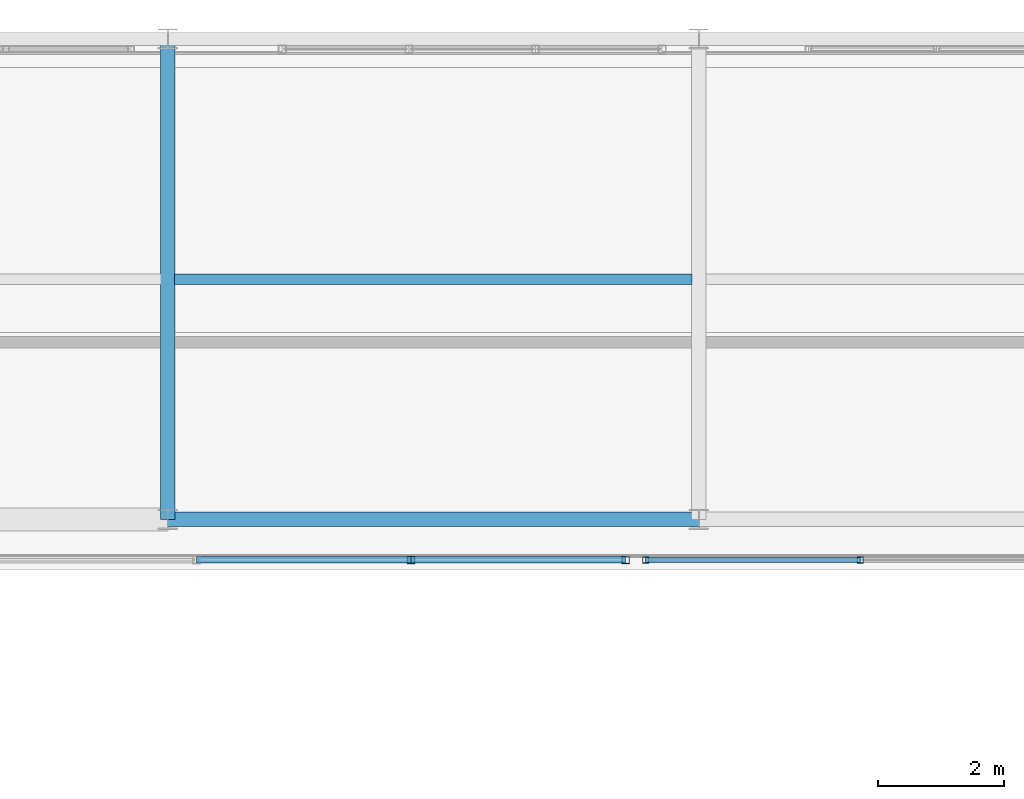
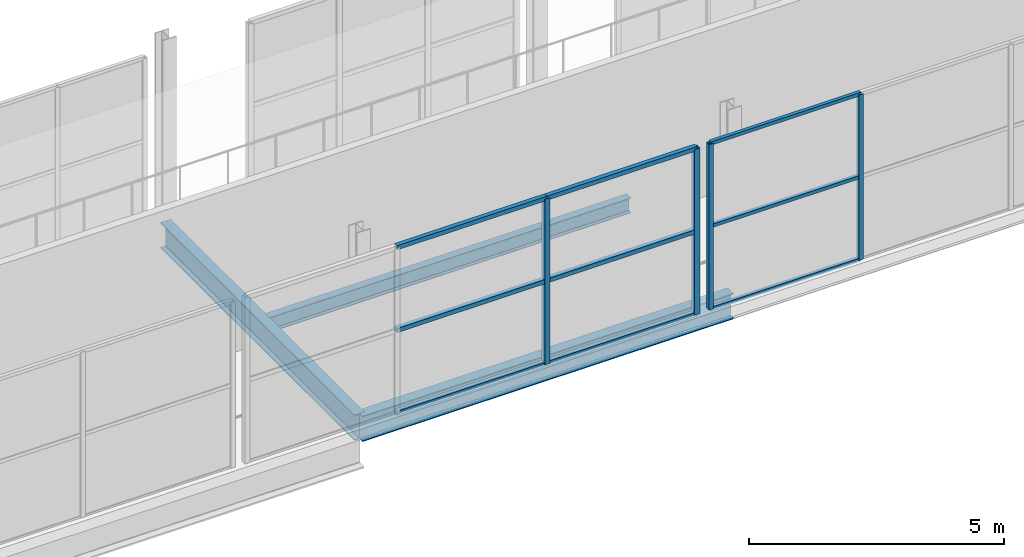
# One storey, part 61 of 151: 13 members, 3 beams, 2 elements without a shape of their own.
"""IFC4 building model written with IfcOpenShell, lengths in metres."""

from ifc_helpers import new_model, si_unit, direction, frame, origin, origin_2d, place, context, subcontext, project, spatial, hollow_rectangle, i_section, extrude, material, material_profile, profile_set, type_object, element, aggregate, save


model = new_model("IFC4")

# Units and contexts
model_context = context("Model", 3, precision=1e-05, world=origin(), true_north=direction((0.0, 1.0)))
body_context = subcontext(model_context, "Body", "Model", "MODEL_VIEW")
ifc_project = project(units=[si_unit("LENGTHUNIT", "METRE"), si_unit("AREAUNIT", "SQUARE_METRE"), si_unit("VOLUMEUNIT", "CUBIC_METRE"), si_unit("PLANEANGLEUNIT", "RADIAN"), si_unit("MASSUNIT", "GRAM", prefix="KILO")], contexts=[model_context])

# Site, building, storey
site_placement = place(None, origin())
site = spatial("IfcSite", under=ifc_project, at=site_placement, CompositionType="ELEMENT")
building_placement = place(site_placement, origin())
building = spatial("IfcBuilding", under=site, at=building_placement, Name="Zuvorla Pavilion Media Centre", CompositionType="ELEMENT")
storey_placement = place(building_placement, frame((0.0, 0.0, 13.800048828125)))
storey = spatial("IfcBuildingStorey", under=building, at=storey_placement, Name="L03", CompositionType="ELEMENT", Elevation=13.800048828125)

# Beams
ifc_material_1 = material(Name="Steel S355", Category="steel")
ifc_material_profile_1 = material_profile(ifc_material_1, i_section(OverallWidth=0.172119140625, OverallDepth=0.35791015625, WebThickness=0.008056640625, FlangeThickness=0.012939453125, FilletRadius=0.01025390625, at=origin_2d()), Name="UB 356x171x57")
ifc_profile_set_1 = profile_set([ifc_material_profile_1], Name="Steel S355")
beam_type_1 = type_object("IfcBeamType", Name="BM-UB356", PredefinedType="JOIST", material=ifc_profile_set_1)
beam_1_placement = place(storey_placement, frame((41.70947265625, 85.800048828125, -0.43701171875), z_axis=(1.0, 0.0, 0.0), x_axis=(0.0, 1.0, 0.0)))
element("IfcBeam", 1, at=beam_1_placement, inside=storey, type_object=beam_type_1, Name="L03 joist J03 1245", PredefinedType="JOIST", context=body_context, shape_type="SweptSolid", body=[
    extrude(i_section(OverallWidth=0.172119140625, OverallDepth=0.35791015625, WebThickness=0.008056640625, FlangeThickness=0.012939453125, FilletRadius=0.01025390625, at=origin_2d()), origin(), (0.0, 0.0, 1.0), 8.180908203125),
])
ifc_material_profile_2 = material_profile(ifc_material_1, i_section(OverallWidth=0.22900390625, OverallDepth=0.6123046875, WebThickness=0.011962890625, FlangeThickness=0.01953125, FilletRadius=0.0126953125, at=origin_2d()), Name="UB 610x229x125")
ifc_profile_set_2 = profile_set([ifc_material_profile_2], Name="Steel S355")
beam_type_2 = type_object("IfcBeamType", Name="BM-UB610", PredefinedType="BEAM", material=ifc_profile_set_2)
beam_2_placement = place(storey_placement, frame((41.60009765625, 82.0, -0.564208984375), z_axis=(1.0, 0.0, 0.0), x_axis=(0.0, 1.0, 0.0)))
element("IfcBeam", 2, at=beam_2_placement, inside=storey, type_object=beam_type_2, Name="L03 beam B07 1118", PredefinedType="BEAM", context=body_context, shape_type="SweptSolid", body=[
    extrude(i_section(OverallWidth=0.22900390625, OverallDepth=0.6123046875, WebThickness=0.011962890625, FlangeThickness=0.01953125, FilletRadius=0.0126953125, at=origin_2d()), origin(), (0.0, 0.0, 1.0), 8.39990234375),
])
beam_3_placement = place(storey_placement, frame((41.60009765625, 82.0, -0.564208984375), z_axis=(0.0, 1.0, 0.0), x_axis=(-1.0, 0.0, 0.0)))
element("IfcBeam", 3, at=beam_3_placement, inside=storey, type_object=beam_type_2, Name="L03 beam B07 1165", PredefinedType="BEAM", context=body_context, shape_type="SweptSolid", body=[
    extrude(i_section(OverallWidth=0.22900390625, OverallDepth=0.6123046875, WebThickness=0.011962890625, FlangeThickness=0.01953125, FilletRadius=0.0126953125, at=origin_2d()), origin(), (0.0, 0.0, 1.0), 7.60009765625),
])

# Curtain wall, members
ifc_material_2 = material(Name="Unitised anodised aluminium and solar glass curtain wall", Category="aluminium")
curtain_wall_type_1 = type_object("IfcCurtainWallType", Name="CW-SYS-35", PredefinedType="USERDEFINED", material=ifc_material_2)
curtain_wall_1_placement = place(storey_placement, origin())
curtain_wall_1 = element("IfcCurtainWall", 4, at=curtain_wall_1_placement, inside=storey, type_object=curtain_wall_type_1, Name="L03 curtain wall CW35 155", ObjectType="CURTAIN WALL", PredefinedType="USERDEFINED")
ifc_material_3 = material(Name="Anodised aluminium 6063-T6", Category="aluminium")
ifc_material_profile_3 = material_profile(ifc_material_3, hollow_rectangle(XDim=0.10009765625, YDim=0.10009765625, WallThickness=0.00439453125, at=origin_2d()), Name="ALU MULL 100x100")
ifc_profile_set_3 = profile_set([ifc_material_profile_3], Name="Anodised aluminium 6063-T6")
member_type_1 = type_object("IfcMemberType", Name="CW-MULL-100", PredefinedType="MULLION", material=ifc_profile_set_3)
member_1_placement = place(storey_placement, frame((52.55322265625, 81.360107421875, 0.0), z_axis=(0.0, 0.0, 1.0), x_axis=(1.0, 0.0, 0.0)))
member_1 = element("IfcMember", 5, at=member_1_placement, type_object=member_type_1, Name="CW35 mullion 3", PredefinedType="MULLION", context=body_context, shape_type="SweptSolid", body=[
    extrude(hollow_rectangle(XDim=0.10009765625, YDim=0.10009765625, WallThickness=0.00439453125, at=origin_2d()), origin(), (0.0, 0.0, 1.0), 3.9599609375),
])
member_2_placement = place(storey_placement, frame((49.159912109375, 81.360107421875, 0.0), z_axis=(0.0, 0.0, 1.0), x_axis=(1.0, 0.0, 0.0)))
member_2 = element("IfcMember", 6, at=member_2_placement, type_object=member_type_1, Name="CW35 mullion 4", PredefinedType="MULLION", context=body_context, shape_type="SweptSolid", body=[
    extrude(hollow_rectangle(XDim=0.10009765625, YDim=0.10009765625, WallThickness=0.00439453125, at=origin_2d()), origin(), (0.0, 0.0, 1.0), 3.9599609375),
])

curtain_wall_type_2 = type_object("IfcCurtainWallType", Name="CW-SYS-33", PredefinedType="USERDEFINED", material=ifc_material_2)
curtain_wall_2_placement = place(storey_placement, origin())
curtain_wall_2 = element("IfcCurtainWall", 7, at=curtain_wall_2_placement, inside=storey, type_object=curtain_wall_type_2, Name="L03 curtain wall CW33 153", ObjectType="CURTAIN WALL", PredefinedType="USERDEFINED")
ifc_material_profile_4 = material_profile(ifc_material_3, hollow_rectangle(XDim=0.1201171875, YDim=0.1201171875, WallThickness=0.0048828125, at=origin_2d()), Name="ALU MULL 120x120")
ifc_profile_set_4 = profile_set([ifc_material_profile_4], Name="Anodised aluminium 6063-T6")
member_type_2 = type_object("IfcMemberType", Name="CW-MULL-120", PredefinedType="MULLION", material=ifc_profile_set_4)
member_3_placement = place(storey_placement, frame((48.840087890625, 81.360107421875, 0.0), z_axis=(0.0, 0.0, 1.0), x_axis=(1.0, 0.0, 0.0)))
member_3 = element("IfcMember", 8, at=member_3_placement, type_object=member_type_2, Name="CW33 mullion 1", PredefinedType="MULLION", context=body_context, shape_type="SweptSolid", body=[
    extrude(hollow_rectangle(XDim=0.1201171875, YDim=0.1201171875, WallThickness=0.0048828125, at=origin_2d()), origin(), (0.0, 0.0, 1.0), 3.9599609375),
])
member_4_placement = place(storey_placement, frame((45.44677734375, 81.360107421875, 0.0), z_axis=(0.0, 0.0, 1.0), x_axis=(1.0, 0.0, 0.0)))
member_4 = element("IfcMember", 9, at=member_4_placement, type_object=member_type_2, Name="CW33 mullion 2", PredefinedType="MULLION", context=body_context, shape_type="SweptSolid", body=[
    extrude(hollow_rectangle(XDim=0.1201171875, YDim=0.1201171875, WallThickness=0.0048828125, at=origin_2d()), origin(), (0.0, 0.0, 1.0), 3.9599609375),
])
ifc_material_profile_5 = material_profile(ifc_material_3, hollow_rectangle(XDim=0.10009765625, YDim=0.10009765625, WallThickness=0.00439453125, at=origin_2d()), Name="ALU TRAN 100x100")
ifc_profile_set_5 = profile_set([ifc_material_profile_5], Name="Anodised aluminium 6063-T6")
member_type_3 = type_object("IfcMemberType", Name="CW-TRAN-100", PredefinedType="USERDEFINED", material=ifc_profile_set_5)
member_5_placement = place(storey_placement, frame((48.840087890625, 81.360107421875, 0.0), z_axis=(-1.0, 0.0, 0.0), x_axis=(0.0, -1.0, 0.0)))
member_5 = element("IfcMember", 10, at=member_5_placement, type_object=member_type_3, Name="CW33 transom 1.1", ObjectType="TRANSOM", PredefinedType="USERDEFINED", context=body_context, shape_type="SweptSolid", body=[
    extrude(hollow_rectangle(XDim=0.10009765625, YDim=0.10009765625, WallThickness=0.00439453125, at=origin_2d()), origin(), (0.0, 0.0, 1.0), 3.393310546875),
])
member_6_placement = place(storey_placement, frame((48.840087890625, 81.360107421875, 1.97998046875), z_axis=(-1.0, 0.0, 0.0), x_axis=(0.0, -1.0, 0.0)))
member_6 = element("IfcMember", 11, at=member_6_placement, type_object=member_type_3, Name="CW33 transom 1.2", ObjectType="TRANSOM", PredefinedType="USERDEFINED", context=body_context, shape_type="SweptSolid", body=[
    extrude(hollow_rectangle(XDim=0.10009765625, YDim=0.10009765625, WallThickness=0.00439453125, at=origin_2d()), origin(), (0.0, 0.0, 1.0), 3.393310546875),
])
member_7_placement = place(storey_placement, frame((48.840087890625, 81.360107421875, 3.9599609375), z_axis=(-1.0, 0.0, 0.0), x_axis=(0.0, -1.0, 0.0)))
member_7 = element("IfcMember", 12, at=member_7_placement, type_object=member_type_3, Name="CW33 transom 1.3", ObjectType="TRANSOM", PredefinedType="USERDEFINED", context=body_context, shape_type="SweptSolid", body=[
    extrude(hollow_rectangle(XDim=0.10009765625, YDim=0.10009765625, WallThickness=0.00439453125, at=origin_2d()), origin(), (0.0, 0.0, 1.0), 3.393310546875),
])
member_8_placement = place(storey_placement, frame((45.44677734375, 81.360107421875, 0.0), z_axis=(-1.0, 0.0, 0.0), x_axis=(0.0, -1.0, 0.0)))
member_8 = element("IfcMember", 13, at=member_8_placement, type_object=member_type_3, Name="CW33 transom 2.1", ObjectType="TRANSOM", PredefinedType="USERDEFINED", context=body_context, shape_type="SweptSolid", body=[
    extrude(hollow_rectangle(XDim=0.10009765625, YDim=0.10009765625, WallThickness=0.00439453125, at=origin_2d()), origin(), (0.0, 0.0, 1.0), 3.3935546875),
])
member_9_placement = place(storey_placement, frame((45.44677734375, 81.360107421875, 1.97998046875), z_axis=(-1.0, 0.0, 0.0), x_axis=(0.0, -1.0, 0.0)))
member_9 = element("IfcMember", 14, at=member_9_placement, type_object=member_type_3, Name="CW33 transom 2.2", ObjectType="TRANSOM", PredefinedType="USERDEFINED", context=body_context, shape_type="SweptSolid", body=[
    extrude(hollow_rectangle(XDim=0.10009765625, YDim=0.10009765625, WallThickness=0.00439453125, at=origin_2d()), origin(), (0.0, 0.0, 1.0), 3.3935546875),
])
member_10_placement = place(storey_placement, frame((45.44677734375, 81.360107421875, 3.9599609375), z_axis=(-1.0, 0.0, 0.0), x_axis=(0.0, -1.0, 0.0)))
member_10 = element("IfcMember", 15, at=member_10_placement, type_object=member_type_3, Name="CW33 transom 2.3", ObjectType="TRANSOM", PredefinedType="USERDEFINED", context=body_context, shape_type="SweptSolid", body=[
    extrude(hollow_rectangle(XDim=0.10009765625, YDim=0.10009765625, WallThickness=0.00439453125, at=origin_2d()), origin(), (0.0, 0.0, 1.0), 3.3935546875),
])
aggregate(curtain_wall_2, [member_3, member_4, member_5, member_6, member_7, member_8, member_9, member_10])

# Member
ifc_material_profile_6 = material_profile(ifc_material_3, hollow_rectangle(XDim=0.080078125, YDim=0.080078125, WallThickness=0.00390625, at=origin_2d()), Name="ALU TRAN 80x80")
ifc_profile_set_6 = profile_set([ifc_material_profile_6], Name="Anodised aluminium 6063-T6")
member_type_4 = type_object("IfcMemberType", Name="CW-TRAN-80", PredefinedType="USERDEFINED", material=ifc_profile_set_6)
member_11_placement = place(storey_placement, frame((52.55322265625, 81.360107421875, 0.0), z_axis=(-1.0, 0.0, 0.0), x_axis=(0.0, -1.0, 0.0)))
member_11 = element("IfcMember", 16, at=member_11_placement, type_object=member_type_4, Name="CW35 transom 3.1", ObjectType="TRANSOM", PredefinedType="USERDEFINED", context=body_context, shape_type="SweptSolid", body=[
    extrude(hollow_rectangle(XDim=0.080078125, YDim=0.080078125, WallThickness=0.00390625, at=origin_2d()), origin(), (0.0, 0.0, 1.0), 3.393310546875),
])

member_12_placement = place(storey_placement, frame((52.55322265625, 81.360107421875, 1.97998046875), z_axis=(-1.0, 0.0, 0.0), x_axis=(0.0, -1.0, 0.0)))
member_12 = element("IfcMember", 17, at=member_12_placement, type_object=member_type_4, Name="CW35 transom 3.2", ObjectType="TRANSOM", PredefinedType="USERDEFINED", context=body_context, shape_type="SweptSolid", body=[
    extrude(hollow_rectangle(XDim=0.080078125, YDim=0.080078125, WallThickness=0.00390625, at=origin_2d()), origin(), (0.0, 0.0, 1.0), 3.393310546875),
])

member_13_placement = place(storey_placement, frame((52.55322265625, 81.360107421875, 3.9599609375), z_axis=(-1.0, 0.0, 0.0), x_axis=(0.0, -1.0, 0.0)))
member_13 = element("IfcMember", 18, at=member_13_placement, type_object=member_type_4, Name="CW35 transom 3.3", ObjectType="TRANSOM", PredefinedType="USERDEFINED", context=body_context, shape_type="SweptSolid", body=[
    extrude(hollow_rectangle(XDim=0.080078125, YDim=0.080078125, WallThickness=0.00390625, at=origin_2d()), origin(), (0.0, 0.0, 1.0), 3.393310546875),
])

aggregate(curtain_wall_1, [member_1, member_2, member_11, member_12, member_13])

save(model, "model.ifc")
